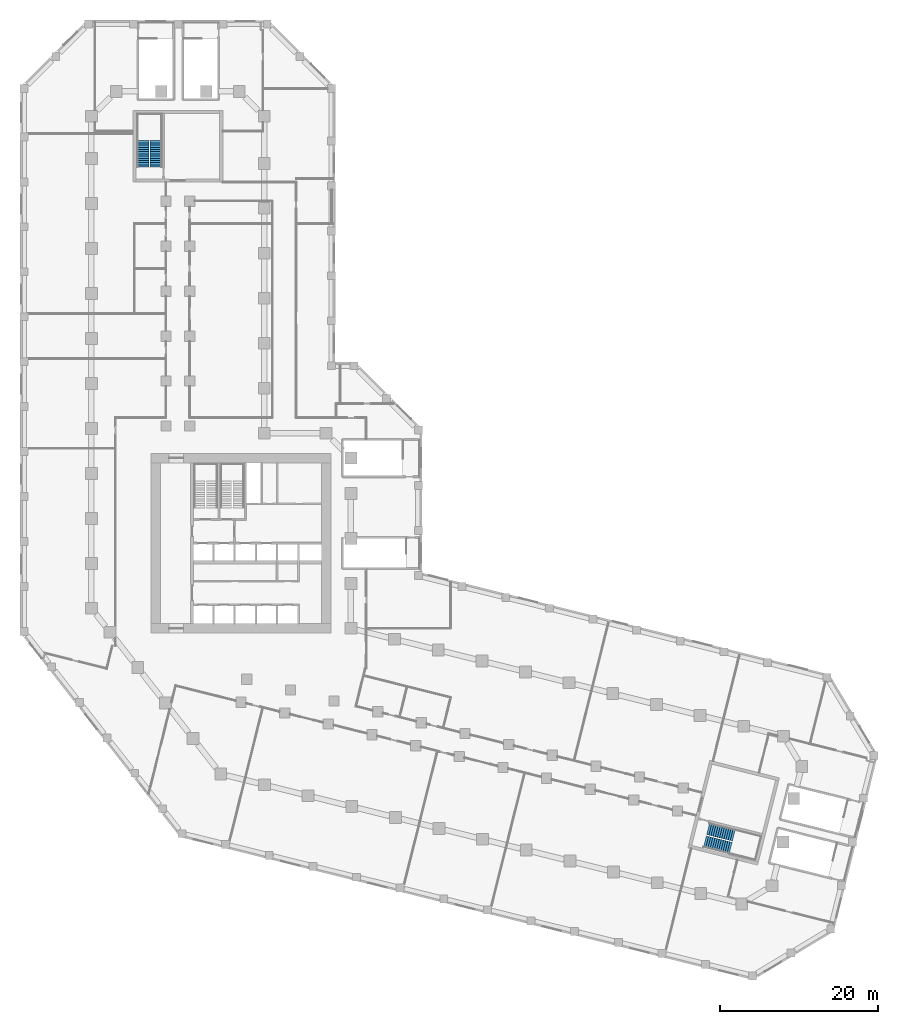
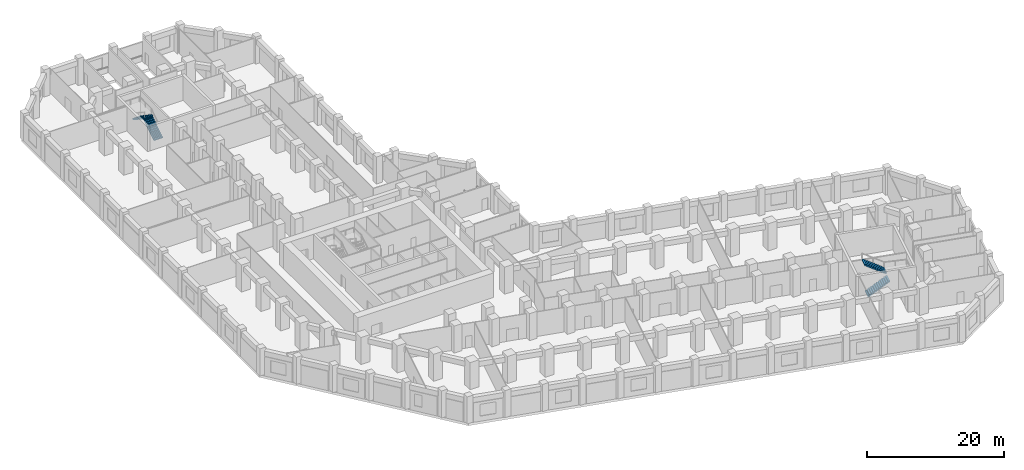
# One storey, part 12 of 13: 4 stair flights, 2 elements without a shape of their own.
"""IFC4 building model written with IfcOpenShell, lengths in metres."""

from ifc_helpers import new_model, si_unit, direction, frame, origin, place, context, subcontext, project, spatial, polyline, outline, extrude, material, type_object, element, aggregate, save


model = new_model("IFC4")

# Units and contexts
model_context = context("Model", 3, precision=1e-05, world=origin(), true_north=direction((0.0, 1.0)))
body_context = subcontext(model_context, "Body", "Model", "MODEL_VIEW")
ifc_project = project(units=[si_unit("LENGTHUNIT", "METRE"), si_unit("AREAUNIT", "SQUARE_METRE"), si_unit("VOLUMEUNIT", "CUBIC_METRE"), si_unit("PLANEANGLEUNIT", "RADIAN"), si_unit("MASSUNIT", "GRAM", prefix="KILO")], contexts=[model_context])

# Site, building, storey
site_placement = place(None, origin())
site = spatial("IfcSite", under=ifc_project, at=site_placement, CompositionType="ELEMENT")
building_placement = place(site_placement, origin())
building = spatial("IfcBuilding", under=site, at=building_placement, Name="Meshkara Civic Tower", CompositionType="ELEMENT")
storey_placement = place(building_placement, frame((0.0, 0.0, 28.199951171875)))
storey = spatial("IfcBuildingStorey", under=building, at=storey_placement, Name="L05", CompositionType="ELEMENT", Elevation=28.199951171875)

# Stair, stair flights
ifc_material_1 = material(Name="Precast concrete C40/50", Category="concrete")
stair_type = type_object("IfcStairType", Name="Exit stair half-turn 26 risers 1500 precast", PredefinedType="HALF_TURN_STAIR", material=ifc_material_1)
stair_1_placement = place(storey_placement, origin())
stair_1 = element("IfcStair", 1, at=stair_1_placement, inside=storey, type_object=stair_type, Name="L05 exit stair A from B2", PredefinedType="HALF_TURN_STAIR")
ifc_material_2 = material(Name="Precast concrete C40/50", Category="concrete")
stair_flight_type = type_object("IfcStairFlightType", Name="Exit stair flight 13 risers 1500 precast", PredefinedType="STRAIGHT", material=ifc_material_2)
stair_flight_1_placement = place(storey_placement, frame((8.625, 73.169921875, 0.0), z_axis=(0.0, 0.0, 1.0), x_axis=(0.0, 1.0, 0.0)))
stair_flight_1 = element("IfcStairFlight", 2, at=stair_flight_1_placement, type_object=stair_flight_type, Name="ESA1 flight 1", NumberOfRisers=13, NumberOfTreads=12, PredefinedType="STRAIGHT", RiserHeight=0.184615385, TreadLength=0.28, context=body_context, shape_type="SweptSolid", body=[
    extrude(outline(polyline([(0.0, 0.0), (0.0, 0.1845703125), (0.280029296875, 0.1845703125), (0.280029296875, 0.369140625), (0.56005859375, 0.369140625), (0.56005859375, 0.553955078125), (0.840087890625, 0.553955078125), (0.840087890625, 0.738525390625), (1.1201171875, 0.738525390625), (1.1201171875, 0.923095703125), (1.39990234375, 0.923095703125), (1.39990234375, 1.107666015625), (1.679931640625, 1.107666015625), (1.679931640625, 1.292236328125), (1.9599609375, 1.292236328125), (1.9599609375, 1.476806640625), (2.239990234375, 1.476806640625), (2.239990234375, 1.66162109375), (2.52001953125, 1.66162109375), (2.52001953125, 1.84619140625), (2.800048828125, 1.84619140625), (2.800048828125, 2.03076171875), (3.080078125, 2.03076171875), (3.080078125, 2.21533203125), (3.360107421875, 2.21533203125), (3.360107421875, 2.39990234375), (3.360107421875, 2.035888671875), (0.272216796875, 0.0), (0.0, 0.0)])), frame((0.0, 0.75, 0.0), z_axis=(0.0, -1.0, 0.0), x_axis=(1.0, 0.0, 0.0)), (0.0, 0.0, 1.0), 1.5),
])
stair_flight_2_placement = place(storey_placement, frame((6.97509765625, 76.530029296875, 2.400146484375), z_axis=(0.0, 0.0, 1.0), x_axis=(0.0, -1.0, 0.0)))
stair_flight_2 = element("IfcStairFlight", 3, at=stair_flight_2_placement, type_object=stair_flight_type, Name="ESA1 flight 2", NumberOfRisers=13, NumberOfTreads=12, PredefinedType="STRAIGHT", RiserHeight=0.184615385, TreadLength=0.28, context=body_context, shape_type="SweptSolid", body=[
    extrude(outline(polyline([(0.0, 0.0), (0.0, 0.1845703125), (0.280029296875, 0.1845703125), (0.280029296875, 0.369140625), (0.56005859375, 0.369140625), (0.56005859375, 0.553955078125), (0.840087890625, 0.553955078125), (0.840087890625, 0.738525390625), (1.1201171875, 0.738525390625), (1.1201171875, 0.923095703125), (1.39990234375, 0.923095703125), (1.39990234375, 1.107666015625), (1.679931640625, 1.107666015625), (1.679931640625, 1.292236328125), (1.9599609375, 1.292236328125), (1.9599609375, 1.476806640625), (2.239990234375, 1.476806640625), (2.239990234375, 1.66162109375), (2.52001953125, 1.66162109375), (2.52001953125, 1.84619140625), (2.800048828125, 1.84619140625), (2.800048828125, 2.03076171875), (3.080078125, 2.03076171875), (3.080078125, 2.21533203125), (3.360107421875, 2.21533203125), (3.360107421875, 2.39990234375), (3.360107421875, 2.035888671875), (0.272216796875, 0.0), (0.0, 0.0)])), frame((0.0, 0.75, 0.0), z_axis=(0.0, -1.0, 0.0), x_axis=(1.0, 0.0, 0.0)), (0.0, 0.0, 1.0), 1.5),
])
aggregate(stair_1, [stair_flight_1, stair_flight_2])

stair_2_placement = place(storey_placement, origin())
stair_2 = element("IfcStair", 4, at=stair_2_placement, inside=storey, type_object=stair_type, Name="L05 exit stair B from B2", PredefinedType="HALF_TURN_STAIR")
stair_flight_3_placement = place(storey_placement, frame((78.214599609375, -12.3125, 0.0), z_axis=(0.0, 0.0, 1.0), x_axis=(0.970260066579, -0.242064873955, 0.0)))
stair_flight_3 = element("IfcStairFlight", 5, at=stair_flight_3_placement, type_object=stair_flight_type, Name="ESB1 flight 1", NumberOfRisers=13, NumberOfTreads=12, PredefinedType="STRAIGHT", RiserHeight=0.184615385, TreadLength=0.28, context=body_context, shape_type="SweptSolid", body=[
    extrude(outline(polyline([(0.0, 0.0), (0.0, 0.1845703125), (0.280029296875, 0.1845703125), (0.280029296875, 0.369140625), (0.56005859375, 0.369140625), (0.56005859375, 0.553955078125), (0.840087890625, 0.553955078125), (0.840087890625, 0.738525390625), (1.1201171875, 0.738525390625), (1.1201171875, 0.923095703125), (1.39990234375, 0.923095703125), (1.39990234375, 1.107666015625), (1.679931640625, 1.107666015625), (1.679931640625, 1.292236328125), (1.9599609375, 1.292236328125), (1.9599609375, 1.476806640625), (2.239990234375, 1.476806640625), (2.239990234375, 1.66162109375), (2.52001953125, 1.66162109375), (2.52001953125, 1.84619140625), (2.800048828125, 1.84619140625), (2.800048828125, 2.03076171875), (3.080078125, 2.03076171875), (3.080078125, 2.21533203125), (3.360107421875, 2.21533203125), (3.360107421875, 2.39990234375), (3.360107421875, 2.035888671875), (0.272216796875, 0.0), (0.0, 0.0)])), frame((0.0, 0.75, 0.0), z_axis=(0.0, -1.0, 0.0), x_axis=(1.0, 0.0, 0.0)), (0.0, 0.0, 1.0), 1.5),
])
stair_flight_4_placement = place(storey_placement, frame((81.874267578125, -11.52490234375, 2.400146484375), z_axis=(0.0, 0.0, 1.0), x_axis=(-0.970260066579, 0.242064873955, 0.0)))
stair_flight_4 = element("IfcStairFlight", 6, at=stair_flight_4_placement, type_object=stair_flight_type, Name="ESB1 flight 2", NumberOfRisers=13, NumberOfTreads=12, PredefinedType="STRAIGHT", RiserHeight=0.184615385, TreadLength=0.28, context=body_context, shape_type="SweptSolid", body=[
    extrude(outline(polyline([(0.0, 0.0), (0.0, 0.1845703125), (0.280029296875, 0.1845703125), (0.280029296875, 0.369140625), (0.56005859375, 0.369140625), (0.56005859375, 0.553955078125), (0.840087890625, 0.553955078125), (0.840087890625, 0.738525390625), (1.1201171875, 0.738525390625), (1.1201171875, 0.923095703125), (1.39990234375, 0.923095703125), (1.39990234375, 1.107666015625), (1.679931640625, 1.107666015625), (1.679931640625, 1.292236328125), (1.9599609375, 1.292236328125), (1.9599609375, 1.476806640625), (2.239990234375, 1.476806640625), (2.239990234375, 1.66162109375), (2.52001953125, 1.66162109375), (2.52001953125, 1.84619140625), (2.800048828125, 1.84619140625), (2.800048828125, 2.03076171875), (3.080078125, 2.03076171875), (3.080078125, 2.21533203125), (3.360107421875, 2.21533203125), (3.360107421875, 2.39990234375), (3.360107421875, 2.035888671875), (0.272216796875, 0.0), (0.0, 0.0)])), frame((0.0, 0.75, 0.0), z_axis=(0.0, -1.0, 0.0), x_axis=(1.0, 0.0, 0.0)), (0.0, 0.0, 1.0), 1.5),
])
aggregate(stair_2, [stair_flight_3, stair_flight_4])

save(model, "model.ifc")
